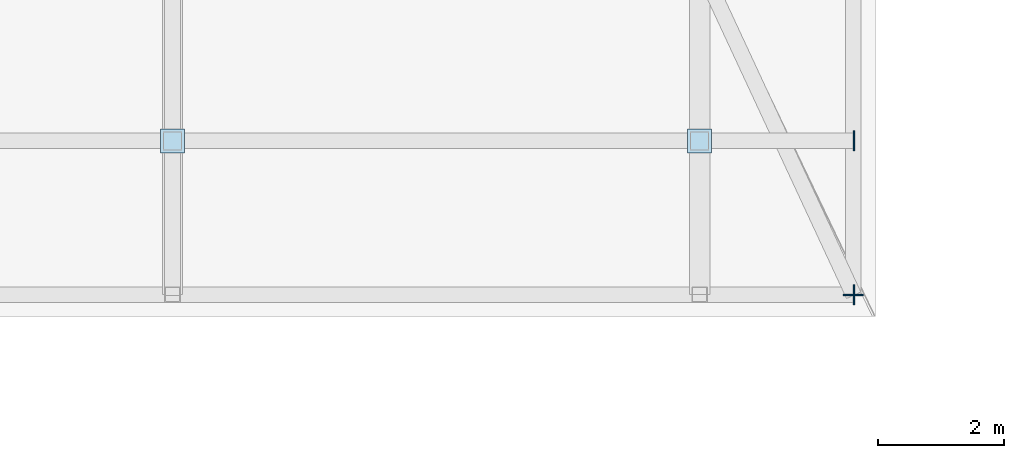
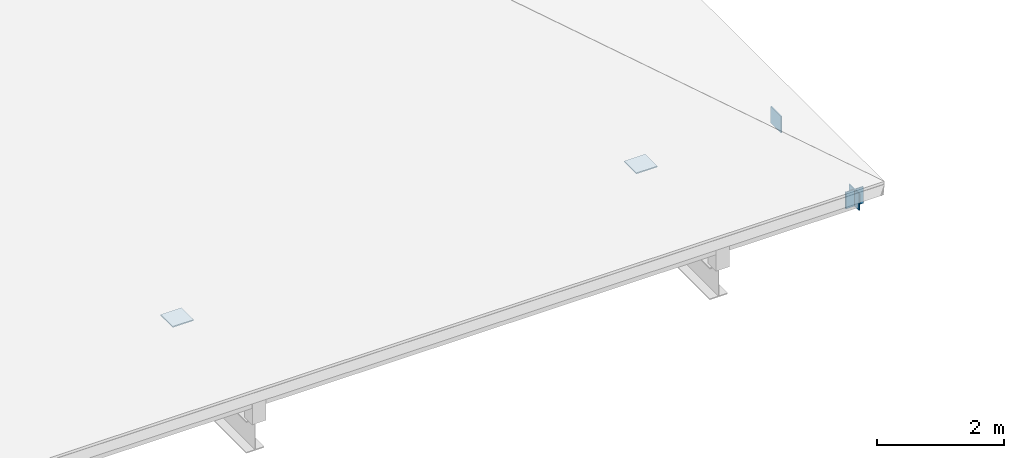
# One storey, part 10 of 13: 5 plates.
"""IFC4 building model written with IfcOpenShell, lengths in metres."""

from ifc_helpers import new_model, si_unit, direction, frame, origin, origin_2d, place, context, subcontext, project, spatial, rectangle, extrude, material, layer, layer_set, type_object, element, save


model = new_model("IFC4")

# Units and contexts
model_context = context("Model", 3, precision=1e-05, world=origin(), true_north=direction((0.0, 1.0)))
body_context = subcontext(model_context, "Body", "Model", "MODEL_VIEW")
ifc_project = project(units=[si_unit("LENGTHUNIT", "METRE"), si_unit("AREAUNIT", "SQUARE_METRE"), si_unit("VOLUMEUNIT", "CUBIC_METRE"), si_unit("PLANEANGLEUNIT", "RADIAN"), si_unit("MASSUNIT", "GRAM", prefix="KILO")], contexts=[model_context])

# Site, building, storey
site_placement = place(None, origin())
site = spatial("IfcSite", under=ifc_project, at=site_placement, CompositionType="ELEMENT")
building_placement = place(site_placement, origin())
building = spatial("IfcBuilding", under=site, at=building_placement, Name="Cumbredor Promenade Congress Hotel", CompositionType="ELEMENT")
storey_placement = place(building_placement, frame((0.0, 0.0, 38.639892578125)))
storey = spatial("IfcBuildingStorey", under=building, at=storey_placement, Name="RF", CompositionType="ELEMENT", Elevation=38.639892578125)

# Plates
ifc_material = material(Name="Steel ASTM A572 Grade 50", Category="steel")
ifc_layer_1 = layer(ifc_material, 0.02001953125, Name="Steel ASTM A572 Grade 50", Category="steel")
ifc_layer_set_1 = layer_set([ifc_layer_1], Name="Steel ASTM A572 Grade 50")
plate_type_1 = type_object("IfcPlateType", Name="Hollow Section End Cap Plate CP-04", PredefinedType="USERDEFINED", material=ifc_layer_set_1)
for number, where, z_axis, x_axis, name in (
    (1, (42.0, 92.39990234375, 0.218017578125), (0.0, 0.0, 1.0), (1.0, 0.0, 0.0), "Hotel Roof Bearing Post X42S End Cap Plate"),
    (2, (50.39990234375, 92.39990234375, 0.218017578125), (0.0, 0.0, 1.0), (1.0, 0.0, 0.0), "Hotel Roof Bearing Post X50S End Cap Plate"),
):
    element("IfcPlate", number, at=place(storey_placement, frame(where, z_axis=z_axis, x_axis=x_axis)), inside=storey, type_object=plate_type_1, Name=name, ObjectType="CAP PLATE", PredefinedType="USERDEFINED", context=body_context, shape_type="SweptSolid", body=[
        extrude(rectangle(XDim=0.3798828125, YDim=0.3798828125, at=origin_2d()), origin(), (0.0, 0.0, 1.0), 0.02001953125),
    ])
ifc_layer_2 = layer(ifc_material, 0.02001953125, Name="Steel ASTM A572 Grade 50", Category="steel")
ifc_layer_set_2 = layer_set([ifc_layer_2], Name="Steel ASTM A572 Grade 50")
plate_type_2 = type_object("IfcPlateType", Name="Hollow Section End Cap Plate CP-05", PredefinedType="USERDEFINED", material=ifc_layer_set_2)
for number, where, z_axis, x_axis, name in (
    (3, (52.85791015625, 92.39990234375, 0.06005859375), (0.0, 0.0, 1.0), (1.0, 0.0, 0.0), "Hotel Broad-Eave Longitudinal Tie S-E End Cap Plate"),
    (4, (52.85791015625, 89.949951171875, 0.06005859375), (0.0, 0.0, 1.0), (1.0, 0.0, 0.0), "Hotel Broad-Eave Perimeter Fascia Beam S End Cap Plate"),
    (5, (52.85009765625, 89.94189453125, 0.06005859375), (0.0, 0.0, 1.0), (0.0, 1.0, 0.0), "Hotel Broad-Eave Perimeter Fascia Beam E Start Cap Plate"),
):
    element("IfcPlate", number, at=place(storey_placement, frame(where, z_axis=z_axis, x_axis=x_axis)), inside=storey, type_object=plate_type_2, Name=name, ObjectType="CAP PLATE", PredefinedType="USERDEFINED", context=body_context, shape_type="SweptSolid", body=[
        extrude(rectangle(XDim=0.02001953125, YDim=0.320068359375, at=origin_2d()), origin(), (0.0, 0.0, 1.0), 0.320068359375),
    ])

save(model, "model.ifc")
